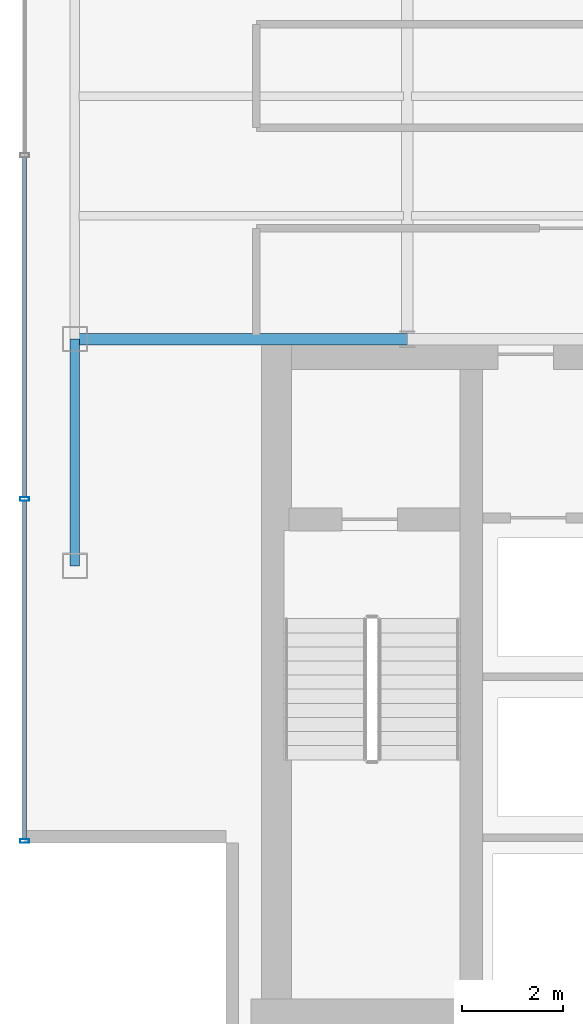
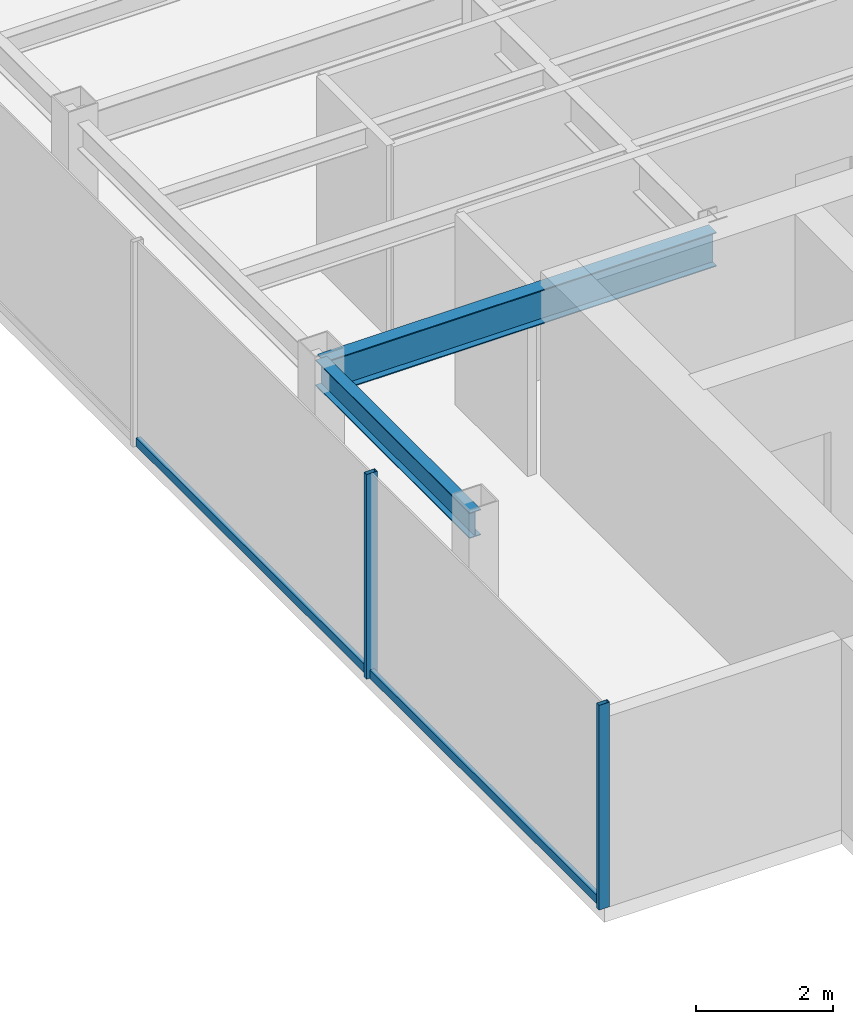
# One storey, part 3 of 22: 4 members, 2 beams, 1 element without a shape of its own.
"""IFC4 building model written with IfcOpenShell, lengths in metres."""

from ifc_helpers import new_model, si_unit, derived_unit, direction, frame, origin, origin_2d, place, context, subcontext, project, spatial, hollow_rectangle, i_section, extrude, source, transform, mapped, material, material_profile, profile_set, type_object, element, aggregate, save


model = new_model("IFC4")

# Units and contexts
model_context = context("Model", 3, precision=1e-05, world=origin(), true_north=direction((0.0, 1.0)))
body_context = subcontext(model_context, "Body", "Model", "MODEL_VIEW")
ifc_project = project(units=[si_unit("LENGTHUNIT", "METRE"), si_unit("AREAUNIT", "SQUARE_METRE"), si_unit("VOLUMEUNIT", "CUBIC_METRE"), si_unit("PLANEANGLEUNIT", "RADIAN"), si_unit("MASSUNIT", "GRAM", prefix="KILO"), derived_unit("THERMALTRANSMITTANCEUNIT", [(si_unit("POWERUNIT", "WATT"), 1), (si_unit("LENGTHUNIT", "METRE"), -2), (si_unit("THERMODYNAMICTEMPERATUREUNIT", "KELVIN"), -1)])], contexts=[model_context])

# Site, building, storey
site_placement = place(None, origin())
site = spatial("IfcSite", under=ifc_project, at=site_placement, CompositionType="ELEMENT")
building_placement = place(site_placement, origin())
building = spatial("IfcBuilding", under=site, at=building_placement, Name="Skarnbrae Concourse Arena and Tower", CompositionType="ELEMENT")
storey_placement = place(building_placement, frame((0.0, 0.0, 206.85009765625)))
storey = spatial("IfcBuildingStorey", under=building, at=storey_placement, Name="L53", CompositionType="ELEMENT", Elevation=206.85009765625)

# Beams
ifc_material_1 = material(Name="Steel CSA G40.21 350W", Category="steel")
ifc_material_profile_1 = material_profile(ifc_material_1, i_section(OverallWidth=0.22802734375, OverallDepth=0.60791015625, WebThickness=0.01123046875, FlangeThickness=0.017333984375, at=origin_2d()), Name="W610X113")
ifc_profile_set_1 = profile_set([ifc_material_profile_1], Name="Steel CSA G40.21 350W")
beam_type_1 = type_object("IfcBeamType", Name="BM-GIRD-W610X113", PredefinedType="BEAM", material=ifc_profile_set_1)
shared_shape_1 = source(origin(), body_context, "Body", "SweptSolid", [
    extrude(i_section(OverallWidth=0.22802734375, OverallDepth=0.60791015625, WebThickness=0.01123046875, FlangeThickness=0.017333984375, at=origin_2d()), origin(), (0.0, 0.0, 1.0), 6.60009765625),
])
beam_1_placement = place(storey_placement, frame((1.0, 14.0, 3.095947265625), z_axis=(1.0, 0.0, 0.0), x_axis=(0.0, 1.0, 0.0)))
element("IfcBeam", 1, at=beam_1_placement, inside=storey, type_object=beam_type_1, Name="L53 Primary E-W girder Y14.0-1", PredefinedType="BEAM", context=body_context, shape_type="MappedRepresentation", body=[
    mapped(shared_shape_1, transform((0.0, 0.0, 0.0))),
])
ifc_material_profile_2 = material_profile(ifc_material_1, i_section(OverallWidth=0.19091796875, OverallDepth=0.4599609375, WebThickness=0.010009765625, FlangeThickness=0.01611328125, at=origin_2d()), Name="W460X82")
ifc_profile_set_2 = profile_set([ifc_material_profile_2], Name="Steel CSA G40.21 350W")
beam_type_2 = type_object("IfcBeamType", Name="BM-SPAN-W460X82", PredefinedType="SPANDREL", material=ifc_profile_set_2)
shared_shape_2 = source(origin(), body_context, "Body", "SweptSolid", [
    extrude(i_section(OverallWidth=0.19091796875, OverallDepth=0.4599609375, WebThickness=0.010009765625, FlangeThickness=0.01611328125, at=origin_2d()), origin(), (0.0, 0.0, 1.0), 4.5),
])
beam_2_placement = place(storey_placement, frame((1.0, 9.5, 3.169921875), z_axis=(0.0, 1.0, 0.0), x_axis=(-1.0, 0.0, 0.0)))
element("IfcBeam", 2, at=beam_2_placement, inside=storey, type_object=beam_type_2, Name="L53 Perimeter spandrel X1.0-1", PredefinedType="SPANDREL", context=body_context, shape_type="MappedRepresentation", body=[
    mapped(shared_shape_2, transform((0.0, 0.0, 0.0))),
])

# Curtain wall, members
ifc_material_2 = material(Name="Bronze anodised aluminium 6063-T6", Category="aluminium")
curtain_wall_type = type_object("IfcCurtainWallType", Name="CW-SYS-05-HIGHZONE", PredefinedType="USERDEFINED", material=ifc_material_2)
curtain_wall_placement = place(storey_placement, origin())
curtain_wall = element("IfcCurtainWall", 3, at=curtain_wall_placement, inside=storey, type_object=curtain_wall_type, Name="L53 Unitised curtain wall CW-L53-E18", ObjectType="UNITISED CURTAIN WALL", PredefinedType="USERDEFINED")
ifc_material_profile_3 = material_profile(ifc_material_2, hollow_rectangle(XDim=0.074951171875, YDim=0.179931640625, WallThickness=0.00390625, at=origin_2d()), Name="ALU-MULL-75X180")
ifc_profile_set_3 = profile_set([ifc_material_profile_3], Name="Bronze anodised aluminium 6063-T6")
member_type_1 = type_object("IfcMemberType", Name="CWM-CW-05", PredefinedType="MULLION", material=ifc_profile_set_3)
shared_shape_3 = source(origin(), body_context, "Body", "SweptSolid", [
    extrude(hollow_rectangle(XDim=0.074951171875, YDim=0.179931640625, WallThickness=0.00390625, at=origin_2d()), origin(), (0.0, 0.0, 1.0), 3.64990234375),
])
member_1_placement = place(storey_placement, frame((0.0, 10.824951171875, 0.0), z_axis=(0.0, 0.0, 1.0), x_axis=(0.0, -1.0, 0.0)))
member_1 = element("IfcMember", 4, at=member_1_placement, type_object=member_type_1, Name="CW-L53-E18 Mullion 4", PredefinedType="MULLION", context=body_context, shape_type="MappedRepresentation", body=[
    mapped(shared_shape_3, transform((0.0, 0.0, 0.0))),
])
member_2_placement = place(storey_placement, frame((0.0, 4.03759765625, 0.0), z_axis=(0.0, 0.0, 1.0), x_axis=(0.0, -1.0, 0.0)))
member_2 = element("IfcMember", 5, at=member_2_placement, type_object=member_type_1, Name="CW-L53-E18 Mullion 5", PredefinedType="MULLION", context=body_context, shape_type="MappedRepresentation", body=[
    mapped(shared_shape_3, transform((0.0, 0.0, 0.0))),
])
ifc_material_profile_4 = material_profile(ifc_material_2, hollow_rectangle(XDim=0.074951171875, YDim=0.14990234375, WallThickness=0.00390625, at=origin_2d()), Name="ALU-TRAN-75X150")
ifc_profile_set_4 = profile_set([ifc_material_profile_4], Name="Bronze anodised aluminium 6063-T6")
member_type_2 = type_object("IfcMemberType", Name="CWT-CW-05", PredefinedType="USERDEFINED", material=ifc_profile_set_4)
shared_shape_4 = source(origin(), body_context, "Body", "SweptSolid", [
    extrude(hollow_rectangle(XDim=0.074951171875, YDim=0.14990234375, WallThickness=0.00390625, at=origin_2d()), origin(), (0.0, 0.0, 1.0), 6.712646484375),
])
member_3_placement = place(storey_placement, frame((0.0, 10.78759765625, 0.074951171875), z_axis=(0.0, -1.0, 0.0), x_axis=(1.0, 0.0, 0.0)))
member_3 = element("IfcMember", 6, at=member_3_placement, type_object=member_type_2, Name="CW-L53-E18 Transom 4", ObjectType="TRANSOM", PredefinedType="USERDEFINED", context=body_context, shape_type="MappedRepresentation", body=[
    mapped(shared_shape_4, transform((0.0, 0.0, 0.0))),
])
shared_shape_5 = source(origin(), body_context, "Body", "SweptSolid", [
    extrude(hollow_rectangle(XDim=0.074951171875, YDim=0.14990234375, WallThickness=0.00390625, at=origin_2d()), origin(), (0.0, 0.0, 1.0), 6.75),
])
member_4_placement = place(storey_placement, frame((0.0, 17.612548828125, 0.074951171875), z_axis=(0.0, -1.0, 0.0), x_axis=(1.0, 0.0, 0.0)))
member_4 = element("IfcMember", 7, at=member_4_placement, type_object=member_type_2, Name="CW-L53-E18 Transom 3", ObjectType="TRANSOM", PredefinedType="USERDEFINED", context=body_context, shape_type="MappedRepresentation", body=[
    mapped(shared_shape_5, transform((0.0, 0.0, 0.0))),
])
aggregate(curtain_wall, [member_1, member_2, member_4, member_3])

save(model, "model.ifc")
